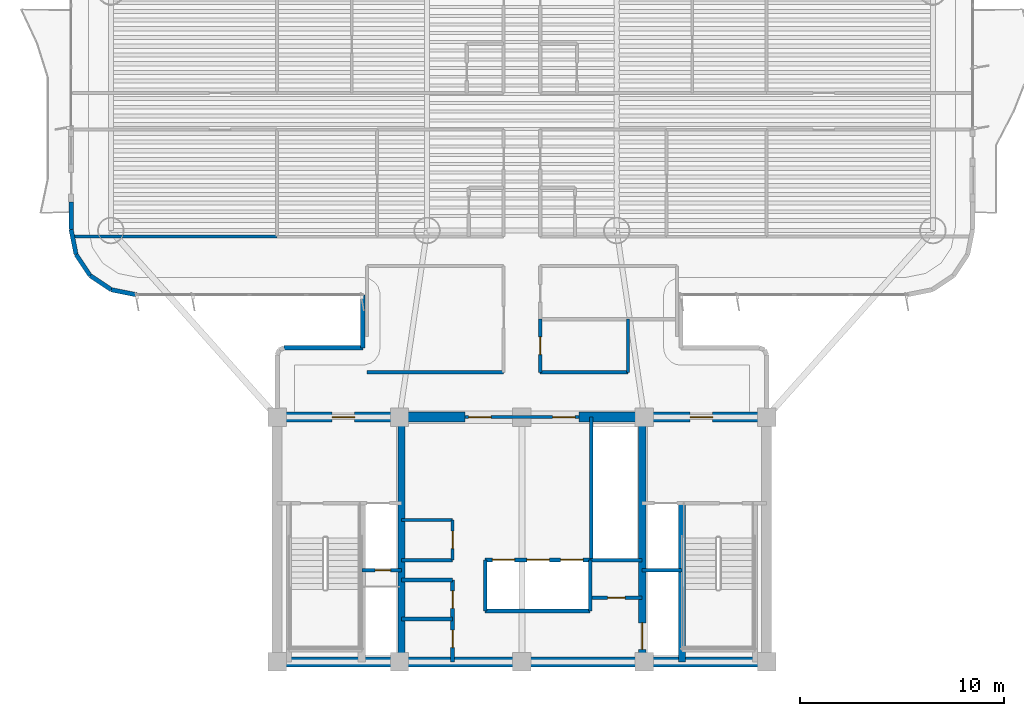
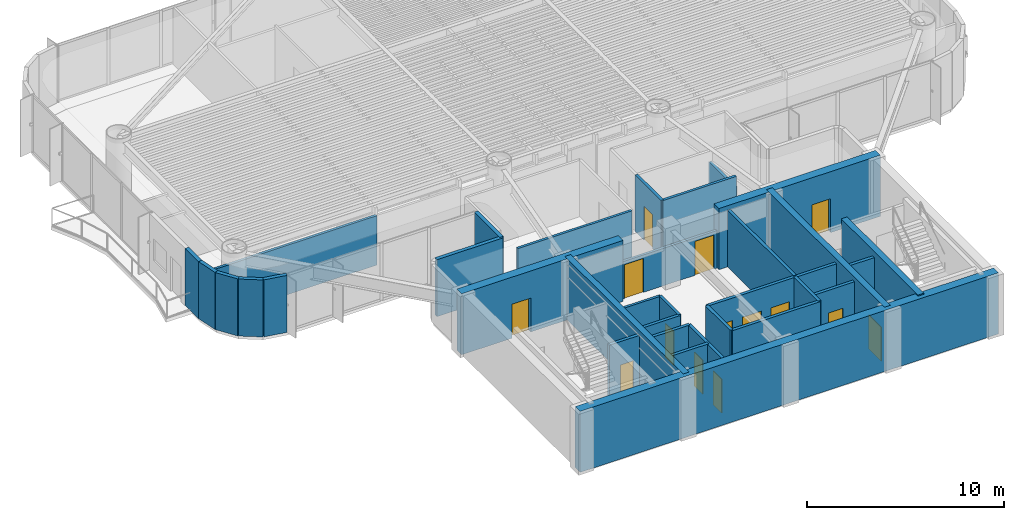
# One storey, part 9 of 17: 34 walls, 14 doors, 14 openings.
"""IFC4 building model written with IfcOpenShell, lengths in metres."""

from ifc_helpers import new_model, si_unit, direction, frame, frame_2d, origin, origin_2d, place, context, subcontext, project, spatial, rectangle, extrude, source, transform, mapped, material, layer, layer_set, type_object, element, fill, save


model = new_model("IFC4")

# Units and contexts
model_context = context("Model", 3, precision=1e-05, world=origin(), true_north=direction((0.0, 1.0)))
body_context = subcontext(model_context, "Body", "Model", "MODEL_VIEW")
ifc_project = project(units=[si_unit("LENGTHUNIT", "METRE"), si_unit("AREAUNIT", "SQUARE_METRE"), si_unit("VOLUMEUNIT", "CUBIC_METRE"), si_unit("PLANEANGLEUNIT", "RADIAN"), si_unit("MASSUNIT", "GRAM", prefix="KILO")], contexts=[model_context])

# Site, building, storey
site_placement = place(None, origin())
site = spatial("IfcSite", under=ifc_project, at=site_placement, CompositionType="ELEMENT")
building_placement = place(site_placement, origin())
building = spatial("IfcBuilding", under=site, at=building_placement, Name="Brelvock Crest Care Tower", CompositionType="ELEMENT")
storey_placement = place(building_placement, frame((0.0, 0.0, 97.3798828125)))
storey = spatial("IfcBuildingStorey", under=building, at=storey_placement, Name="L24", CompositionType="ELEMENT", Elevation=97.3798828125)

# Wall
ifc_material_1 = material(Name="Concrete S80 (80 MPa)", Category="concrete")
ifc_layer_1 = layer(ifc_material_1, 0.5, Name="WL-CS2")
ifc_layer_set_1 = layer_set([ifc_layer_1], Name="Concrete S80 (80 MPa)")
wall_type_1 = type_object("IfcWallType", Name="WL-CS2", PredefinedType="SHEAR", material=ifc_layer_set_1)
wall_1_placement = place(storey_placement, frame((48.25, 6.0, 0.0), z_axis=(0.0, 0.0, 1.0), x_axis=(-1.0, 0.0, 0.0)))
element("IfcWall", 1, at=wall_1_placement, inside=storey, type_object=wall_type_1, Name="L24 Core South Shear Wall", PredefinedType="SHEAR", context=body_context, shape_type="SweptSolid", body=[
    extrude(rectangle(XDim=24.5, YDim=0.5, at=frame_2d((12.25, 0.0))), origin(), (0.0, 0.0, 1.0), 3.780029296875),
])

# Wall, opening, door
wall_2_placement = place(storey_placement, frame((23.75, 18.0, 0.0), z_axis=(0.0, 0.0, 1.0), x_axis=(1.0, 0.0, 0.0)))
wall_2 = element("IfcWall", 2, at=wall_2_placement, inside=storey, type_object=wall_type_1, Name="L24 Core North-West Shear Wall", PredefinedType="SHEAR", context=body_context, shape_type="SweptSolid", body=[
    extrude(rectangle(XDim=9.449951171875, YDim=0.5, at=frame_2d((4.72509765625, 0.0))), origin(), (0.0, 0.0, 1.0), 3.780029296875),
])
opening_1_placement = place(wall_2_placement, frame((2.949951171875, 0.0, 0.0)))
opening_1 = element("IfcOpeningElement", 3, at=opening_1_placement, cuts=wall_2, Name="Opening FD-1", PredefinedType="OPENING", context=body_context, shape_type="SweptSolid", body=[
    extrude(rectangle(XDim=1.10009765625, YDim=2.10009765625, at=origin_2d()), frame((0.550048828125, 0.260009765625, 1.050048828125), z_axis=(0.0, -1.0, 0.0), x_axis=(1.0, 0.0, 0.0)), (0.0, 0.0, 1.0), 0.52001953125),
])
ifc_material_2 = material(Name="Steel Grade 350", Category="steel")
door_type_1 = type_object("IfcDoorType", Name="DR-FFL1", OperationType="NOTDEFINED", PredefinedType="DOOR", material=ifc_material_2)
shared_shape_1 = source(origin(), body_context, "Body", "SweptSolid", [
    extrude(rectangle(XDim=1.10009765625, YDim=2.10009765625, at=origin_2d()), frame((0.550048828125, 0.02490234375, 1.050048828125), z_axis=(0.0, -1.0, 0.0), x_axis=(1.0, 0.0, 0.0)), (0.0, 0.0, 1.0), 0.050048828125),
])
door_1_placement = place(opening_1_placement, origin())
door_1 = element("IfcDoor", 4, at=door_1_placement, inside=storey, type_object=door_type_1, Name="L24 Firefighting Lobby FFL-1 Exit Door", OperationType="SINGLE_SWING_LEFT", OverallHeight=2.10009765625, OverallWidth=1.10009765625, PredefinedType="DOOR", context=body_context, shape_type="MappedRepresentation", body=[
    mapped(shared_shape_1, transform((0.0, 0.0, 0.0), x_axis=(1.0, 0.0, 0.0), y_axis=(0.0, 1.0, 0.0), z_axis=(0.0, 0.0, 1.0), scale=1.0)),
])
fill(opening_1, door_1)

wall_3_placement = place(storey_placement, frame((38.800048828125, 18.0, 0.0), z_axis=(0.0, 0.0, 1.0), x_axis=(1.0, 0.0, 0.0)))
wall_3 = element("IfcWall", 5, at=wall_3_placement, inside=storey, type_object=wall_type_1, Name="L24 Core North-East Shear Wall", PredefinedType="SHEAR", context=body_context, shape_type="SweptSolid", body=[
    extrude(rectangle(XDim=9.449951171875, YDim=0.5, at=frame_2d((4.72509765625, 0.0))), origin(), (0.0, 0.0, 1.0), 3.780029296875),
])
opening_2_placement = place(wall_3_placement, frame((5.449951171875, 0.0, 0.0)))
opening_2 = element("IfcOpeningElement", 6, at=opening_2_placement, cuts=wall_3, Name="Opening FD-1", PredefinedType="OPENING", context=body_context, shape_type="SweptSolid", body=[
    extrude(rectangle(XDim=1.10009765625, YDim=2.10009765625, at=origin_2d()), frame((0.550048828125, 0.260009765625, 1.050048828125), z_axis=(0.0, -1.0, 0.0), x_axis=(1.0, 0.0, 0.0)), (0.0, 0.0, 1.0), 0.52001953125),
])
door_2_placement = place(opening_2_placement, origin())
door_2 = element("IfcDoor", 7, at=door_2_placement, inside=storey, type_object=door_type_1, Name="L24 Firefighting Lobby FFL-2 Exit Door", OperationType="SINGLE_SWING_RIGHT", OverallHeight=2.10009765625, OverallWidth=1.10009765625, PredefinedType="DOOR", context=body_context, shape_type="MappedRepresentation", body=[
    mapped(shared_shape_1, transform((0.0, 0.0, 0.0), x_axis=(1.0, 0.0, 0.0), y_axis=(0.0, 1.0, 0.0), z_axis=(0.0, 0.0, 1.0), scale=1.0)),
])
fill(opening_2, door_2)

# Wall
ifc_layer_2 = layer(ifc_material_1, 0.35009765625, Name="WL-CS5")
ifc_layer_set_2 = layer_set([ifc_layer_2], Name="Concrete S80 (80 MPa)")
wall_type_2 = type_object("IfcWallType", Name="WL-CS5", PredefinedType="SHEAR", material=ifc_layer_set_2)
wall_4_placement = place(storey_placement, frame((30.10009765625, 6.0, 0.0), z_axis=(0.0, 0.0, 1.0), x_axis=(0.0, 1.0, 0.0)))
element("IfcWall", 8, at=wall_4_placement, inside=storey, type_object=wall_type_2, Name="L24 Core Internal Web Wall West", PredefinedType="SHEAR", context=body_context, shape_type="SweptSolid", body=[
    extrude(rectangle(XDim=12.0, YDim=0.35009765625, at=frame_2d((6.0, 0.0))), origin(), (0.0, 0.0, 1.0), 3.780029296875),
])

# Wall, opening, door
wall_5_placement = place(storey_placement, frame((41.89990234375, 18.0, 0.0), z_axis=(0.0, 0.0, 1.0), x_axis=(0.0, -1.0, 0.0)))
wall_5 = element("IfcWall", 9, at=wall_5_placement, inside=storey, type_object=wall_type_2, Name="L24 Core Internal Web Wall East", PredefinedType="SHEAR", context=body_context, shape_type="SweptSolid", body=[
    extrude(rectangle(XDim=12.0, YDim=0.35009765625, at=frame_2d((6.0, 0.0))), origin(), (0.0, 0.0, 1.0), 3.780029296875),
])
opening_3_placement = place(wall_5_placement, frame((10.080078125, 0.0, 0.0)))
opening_3 = element("IfcOpeningElement", 10, at=opening_3_placement, cuts=wall_5, Name="Opening LD-S", PredefinedType="OPENING", context=body_context, shape_type="SweptSolid", body=[
    extrude(rectangle(XDim=1.300048828125, YDim=2.10009765625, at=origin_2d()), frame((0.64990234375, 0.18505859375, 1.050048828125), z_axis=(0.0, -1.0, 0.0), x_axis=(1.0, 0.0, 0.0)), (0.0, 0.0, 1.0), 0.3701171875),
])
door_type_2 = type_object("IfcDoorType", Name="DR-LDS1", OperationType="NOTDEFINED", PredefinedType="DOOR", material=ifc_material_2)
shared_shape_2 = source(origin(), body_context, "Body", "SweptSolid", [
    extrude(rectangle(XDim=1.300048828125, YDim=2.10009765625, at=origin_2d()), frame((0.64990234375, 0.02490234375, 1.050048828125), z_axis=(0.0, -1.0, 0.0), x_axis=(1.0, 0.0, 0.0)), (0.0, 0.0, 1.0), 0.050048828125),
])
door_3_placement = place(opening_3_placement, origin())
door_3 = element("IfcDoor", 11, at=door_3_placement, inside=storey, type_object=door_type_2, Name="L24 Clinical Bed Lift SL-1 Landing Door", OperationType="SLIDING_TO_LEFT", OverallHeight=2.10009765625, OverallWidth=1.300048828125, PredefinedType="DOOR", context=body_context, shape_type="MappedRepresentation", body=[
    mapped(shared_shape_2, transform((0.0, 0.0, 0.0), x_axis=(1.0, 0.0, 0.0), y_axis=(0.0, 1.0, 0.0), z_axis=(0.0, 0.0, 1.0), scale=1.0)),
])
fill(opening_3, door_3)

# Walls
wall_6_placement = place(storey_placement, frame((43.85009765625, 6.0, 0.0), z_axis=(0.0, 0.0, 1.0), x_axis=(0.0, 1.0, 0.0)))
element("IfcWall", 12, at=wall_6_placement, inside=storey, type_object=wall_type_2, Name="L24 Core Stair ST-2 West Shear Wall", PredefinedType="SHEAR", context=body_context, shape_type="SweptSolid", body=[
    extrude(rectangle(XDim=7.780029296875, YDim=0.35009765625, at=frame_2d((3.89013671875, 0.0))), origin(), (0.0, 0.0, 1.0), 3.85009765625),
])
ifc_material_3 = material(Name="Precast concrete N40 (40 MPa)", Category="concrete")
ifc_layer_3 = layer(ifc_material_3, 0.215087890625, Name="WL-EX2")
ifc_layer_set_3 = layer_set([ifc_layer_3], Name="Precast concrete N40 (40 MPa)")
wall_type_3 = type_object("IfcWallType", Name="WL-EX2", PredefinedType="SOLIDWALL", material=ifc_layer_set_3)
wall_7_placement = place(storey_placement, frame((24.35009765625, 21.39990234375, 0.0), z_axis=(0.0, 0.0, 1.0), x_axis=(1.0, 0.0, 0.0)))
element("IfcWall", 13, at=wall_7_placement, inside=storey, type_object=wall_type_3, Name="L24 Rounded Corner Wall 10", PredefinedType="SOLIDWALL", context=body_context, shape_type="SweptSolid", body=[
    extrude(rectangle(XDim=3.849853515625, YDim=0.215087890625, at=frame_2d((1.9248046875, 0.0))), origin(), (0.0, 0.0, 1.0), 3.530029296875),
])
wall_8_placement = place(storey_placement, frame((28.199951171875, 21.39990234375, 0.0), z_axis=(0.0, 0.0, 1.0), x_axis=(0.0, 1.0, 0.0)))
element("IfcWall", 14, at=wall_8_placement, inside=storey, type_object=wall_type_3, Name="L24 Rounded Corner Wall 11", PredefinedType="SOLIDWALL", context=body_context, shape_type="SweptSolid", body=[
    extrude(rectangle(XDim=2.60009765625, YDim=0.215087890625, at=frame_2d((1.300048828125, 0.0))), origin(), (0.0, 0.0, 1.0), 3.530029296875),
])
for number, where, z_axis, x_axis, name in (
    (15, (17.10009765625, 24.0, 0.0), (0.0, 0.0, 1.0), (-0.980775717779, 0.195138390419, 0.0), "L24 Rounded Corner Wall 13"),
    (16, (15.87548828125, 24.24365234375, 0.0), (0.0, 0.0, 1.0), (-0.831478245117, 0.555557312883, 0.0), "L24 Rounded Corner Wall 14"),
    (17, (14.83740234375, 24.937255859375, 0.0), (0.0, 0.0, 1.0), (-0.555692485475, 0.831387912822, 0.0), "L24 Rounded Corner Wall 15"),
    (18, (14.1435546875, 25.975341796875, 0.0), (0.0, 0.0, 1.0), (-0.195138390419, 0.980775717779, 0.0), "L24 Rounded Corner Wall 16"),
):
    element("IfcWall", number, at=place(storey_placement, frame(where, z_axis=z_axis, x_axis=x_axis)), inside=storey, type_object=wall_type_3, Name=name, PredefinedType="SOLIDWALL", context=body_context, shape_type="SweptSolid", body=[
        extrude(rectangle(XDim=1.24853515625, YDim=0.215087890625, at=frame_2d((0.624267578125, 0.0))), origin(), (0.0, 0.0, 1.0), 3.530029296875),
    ])
wall_9_placement = place(storey_placement, frame((13.89990234375, 27.199951171875, 0.0), z_axis=(0.0, 0.0, 1.0), x_axis=(0.0, 1.0, 0.0)))
element("IfcWall", 19, at=wall_9_placement, inside=storey, type_object=wall_type_3, Name="L24 Exterior Spandrel Pier E17A", PredefinedType="SOLIDWALL", context=body_context, shape_type="SweptSolid", body=[
    extrude(rectangle(XDim=1.35009765625, YDim=0.215087890625, at=frame_2d((0.675048828125, 0.0))), origin(), (0.0, 0.0, 1.0), 3.530029296875),
])
ifc_material_4 = material(Name="Masonry Blockwork Acoustic Partition", Category="masonry")
ifc_layer_4 = layer(ifc_material_4, 0.14990234375, Name="WL-INT1")
ifc_layer_set_4 = layer_set([ifc_layer_4], Name="Masonry Blockwork Acoustic Partition")
wall_type_4 = type_object("IfcWallType", Name="WL-INT1", PredefinedType="PARTITIONING", material=ifc_layer_set_4)
wall_10_placement = place(storey_placement, frame((30.10009765625, 12.949951171875, 0.0), z_axis=(0.0, 0.0, 1.0), x_axis=(1.0, 0.0, 0.0)))
element("IfcWall", 20, at=wall_10_placement, inside=storey, type_object=wall_type_4, Name="L24 Interior Wall WL-CRCL-N2-L24", PredefinedType="PARTITIONING", context=body_context, shape_type="SweptSolid", body=[
    extrude(rectangle(XDim=2.5, YDim=0.14990234375, at=frame_2d((1.25, 0.0))), origin(), (0.0, 0.0, 1.0), 3.5),
])

# Wall, opening, door
wall_11_placement = place(storey_placement, frame((32.60009765625, 11.0, 0.0), z_axis=(0.0, 0.0, 1.0), x_axis=(0.0, 1.0, 0.0)))
wall_11 = element("IfcWall", 21, at=wall_11_placement, inside=storey, type_object=wall_type_4, Name="L24 Interior Wall WL-CRCL-E-L24", PredefinedType="PARTITIONING", context=body_context, shape_type="SweptSolid", body=[
    extrude(rectangle(XDim=1.949951171875, YDim=0.14990234375, at=frame_2d((0.97509765625, 0.0))), origin(), (0.0, 0.0, 1.0), 3.5),
])
opening_4_placement = place(wall_11_placement, frame((0.550048828125, 0.0, 0.0)))
opening_4 = element("IfcOpeningElement", 22, at=opening_4_placement, cuts=wall_11, Name="Opening ID-1", PredefinedType="OPENING", context=body_context, shape_type="SweptSolid", body=[
    extrude(rectangle(XDim=0.860107421875, YDim=2.10009765625, at=origin_2d()), frame((0.43017578125, 0.0849609375, 1.050048828125), z_axis=(0.0, -1.0, 0.0), x_axis=(1.0, 0.0, 0.0)), (0.0, 0.0, 1.0), 0.169921875),
])
ifc_material_5 = material(Name="Engineered Hardwood Timber", Category="wood")
door_type_3 = type_object("IfcDoorType", Name="DR-INT1", OperationType="NOTDEFINED", PredefinedType="DOOR", material=ifc_material_5)
shared_shape_3 = source(origin(), body_context, "Body", "SweptSolid", [
    extrude(rectangle(XDim=0.860107421875, YDim=2.10009765625, at=origin_2d()), frame((0.43017578125, 0.02490234375, 1.050048828125), z_axis=(0.0, -1.0, 0.0), x_axis=(1.0, 0.0, 0.0)), (0.0, 0.0, 1.0), 0.050048828125),
])
door_4_placement = place(opening_4_placement, origin())
door_4 = element("IfcDoor", 23, at=door_4_placement, inside=storey, type_object=door_type_3, Name="DR-CRCL1-L24", OperationType="SINGLE_SWING_LEFT", OverallHeight=2.10009765625, OverallWidth=0.860107421875, PredefinedType="DOOR", context=body_context, shape_type="MappedRepresentation", body=[
    mapped(shared_shape_3, transform((0.0, 0.0, 0.0), x_axis=(1.0, 0.0, 0.0), y_axis=(0.0, 1.0, 0.0), z_axis=(0.0, 0.0, 1.0), scale=1.0)),
])
fill(opening_4, door_4)

# Wall, openings, doors
wall_12_placement = place(storey_placement, frame((33.199951171875, 18.0, 0.0), z_axis=(0.0, 0.0, 1.0), x_axis=(1.0, 0.0, 0.0)))
wall_12 = element("IfcWall", 24, at=wall_12_placement, inside=storey, type_object=wall_type_4, Name="L24 Interior Wall WL-CORE-NPORT-L24", PredefinedType="PARTITIONING", context=body_context, shape_type="SweptSolid", body=[
    extrude(rectangle(XDim=5.60009765625, YDim=0.14990234375, at=frame_2d((2.800048828125, 0.0))), origin(), (0.0, 0.0, 1.0), 2.315185546875),
])
opening_5_placement = place(wall_12_placement, frame((0.18994140625, 0.0, 0.0)))
opening_5 = element("IfcOpeningElement", 25, at=opening_5_placement, cuts=wall_12, Name="Opening FD-1", PredefinedType="OPENING", context=body_context, shape_type="SweptSolid", body=[
    extrude(rectangle(XDim=1.10009765625, YDim=2.10009765625, at=origin_2d()), frame((0.550048828125, 0.0849609375, 1.050048828125), z_axis=(0.0, -1.0, 0.0), x_axis=(1.0, 0.0, 0.0)), (0.0, 0.0, 1.0), 0.169921875),
])
opening_6_placement = place(wall_12_placement, frame((4.31005859375, 0.0, 0.0)))
opening_6 = element("IfcOpeningElement", 26, at=opening_6_placement, cuts=wall_12, Name="Opening FD-1", PredefinedType="OPENING", context=body_context, shape_type="SweptSolid", body=[
    extrude(rectangle(XDim=1.10009765625, YDim=2.10009765625, at=origin_2d()), frame((0.550048828125, 0.0849609375, 1.050048828125), z_axis=(0.0, -1.0, 0.0), x_axis=(1.0, 0.0, 0.0)), (0.0, 0.0, 1.0), 0.169921875),
])
door_5_placement = place(opening_5_placement, origin())
door_5 = element("IfcDoor", 27, at=door_5_placement, inside=storey, type_object=door_type_1, Name="L24 Lift Lobby North Smoke Door West", OperationType="SINGLE_SWING_LEFT", OverallHeight=2.10009765625, OverallWidth=1.10009765625, PredefinedType="DOOR", context=body_context, shape_type="MappedRepresentation", body=[
    mapped(shared_shape_1, transform((0.0, 0.0, 0.0), x_axis=(1.0, 0.0, 0.0), y_axis=(0.0, 1.0, 0.0), z_axis=(0.0, 0.0, 1.0), scale=1.0)),
])
fill(opening_5, door_5)
door_6_placement = place(opening_6_placement, origin())
door_6 = element("IfcDoor", 28, at=door_6_placement, inside=storey, type_object=door_type_1, Name="L24 Lift Lobby North Smoke Door East", OperationType="SINGLE_SWING_RIGHT", OverallHeight=2.10009765625, OverallWidth=1.10009765625, PredefinedType="DOOR", context=body_context, shape_type="MappedRepresentation", body=[
    mapped(shared_shape_1, transform((0.0, 0.0, 0.0), x_axis=(1.0, 0.0, 0.0), y_axis=(0.0, 1.0, 0.0), z_axis=(0.0, 0.0, 1.0), scale=1.0)),
])
fill(opening_6, door_6)

# Walls
wall_13_placement = place(storey_placement, frame((28.39990234375, 20.199951171875, 0.0), z_axis=(0.0, 0.0, 1.0), x_axis=(1.0, 0.0, 0.0)))
element("IfcWall", 29, at=wall_13_placement, inside=storey, type_object=wall_type_4, Name="L24 Interior Wall WL-BX-L24-THW-S", PredefinedType="PARTITIONING", context=body_context, shape_type="SweptSolid", body=[
    extrude(rectangle(XDim=6.7001953125, YDim=0.14990234375, at=frame_2d((3.35009765625, 0.0))), origin(), (0.0, 0.0, 1.0), 3.5),
])
wall_14_placement = place(storey_placement, frame((14.05126953125, 26.85009765625, 0.0), z_axis=(0.0, 0.0, 1.0), x_axis=(1.0, 0.0, 0.0)))
element("IfcWall", 30, at=wall_14_placement, inside=storey, type_object=wall_type_4, Name="L24 Interior Wall WL-BX-L24-ISWO-S", PredefinedType="PARTITIONING", context=body_context, shape_type="SweptSolid", body=[
    extrude(rectangle(XDim=9.94873046875, YDim=0.14990234375, at=frame_2d((4.974365234375, 0.0))), origin(), (0.0, 0.0, 1.0), 3.05517578125),
])
ifc_material_6 = material(Name="Gypsum Plasterboard Partition", Category="gypsum")
ifc_layer_5 = layer(ifc_material_6, 0.159912109375, Name="WL-PLM1")
ifc_layer_set_5 = layer_set([ifc_layer_5], Name="Gypsum Plasterboard Partition")
wall_type_5 = type_object("IfcWallType", Name="WL-PLM1", PredefinedType="PLUMBINGWALL", material=ifc_layer_set_5)
wall_15_placement = place(storey_placement, frame((36.89990234375, 20.199951171875, 0.0), z_axis=(0.0, 0.0, 1.0), x_axis=(1.0, 0.0, 0.0)))
element("IfcWall", 31, at=wall_15_placement, inside=storey, type_object=wall_type_5, Name="L24 Interior Wall WL-BX-L24-THE1-S", PredefinedType="PLUMBINGWALL", context=body_context, shape_type="SweptSolid", body=[
    extrude(rectangle(XDim=4.300048828125, YDim=0.159912109375, at=frame_2d((2.14990234375, 0.0))), origin(), (0.0, 0.0, 1.0), 3.5),
])

# Wall, opening, door
wall_16_placement = place(storey_placement, frame((36.89990234375, 20.199951171875, 0.0), z_axis=(0.0, 0.0, 1.0), x_axis=(0.0, 1.0, 0.0)))
wall_16 = element("IfcWall", 32, at=wall_16_placement, inside=storey, type_object=wall_type_5, Name="L24 Interior Wall WL-RM-L24-THE1", PredefinedType="PLUMBINGWALL", context=body_context, shape_type="SweptSolid", body=[
    extrude(rectangle(XDim=2.60009765625, YDim=0.159912109375, at=frame_2d((1.300048828125, 0.0))), origin(), (0.0, 0.0, 1.0), 3.5),
])
opening_7_placement = place(wall_16_placement, frame((0.8701171875, 0.0, 0.0)))
opening_7 = element("IfcOpeningElement", 33, at=opening_7_placement, cuts=wall_16, Name="Opening WD-1", PredefinedType="OPENING", context=body_context, shape_type="SweptSolid", body=[
    extrude(rectangle(XDim=0.860107421875, YDim=2.10009765625, at=origin_2d()), frame((0.43017578125, 0.08984375, 1.050048828125), z_axis=(0.0, -1.0, 0.0), x_axis=(1.0, 0.0, 0.0)), (0.0, 0.0, 1.0), 0.179931640625),
])
door_type_4 = type_object("IfcDoorType", Name="DR-WC1", OperationType="NOTDEFINED", PredefinedType="DOOR", material=ifc_material_5)
shared_shape_4 = source(origin(), body_context, "Body", "SweptSolid", [
    extrude(rectangle(XDim=0.860107421875, YDim=2.10009765625, at=origin_2d()), frame((0.43017578125, 0.02490234375, 1.050048828125), z_axis=(0.0, -1.0, 0.0), x_axis=(1.0, 0.0, 0.0)), (0.0, 0.0, 1.0), 0.050048828125),
])
door_7_placement = place(opening_7_placement, origin())
door_7 = element("IfcDoor", 34, at=door_7_placement, inside=storey, type_object=door_type_4, Name="L24 Floor Accessible WC Door THE1", OperationType="SINGLE_SWING_LEFT", OverallHeight=2.10009765625, OverallWidth=0.860107421875, PredefinedType="DOOR", context=body_context, shape_type="MappedRepresentation", body=[
    mapped(shared_shape_4, transform((0.0, 0.0, 0.0), x_axis=(1.0, 0.0, 0.0), y_axis=(0.0, 1.0, 0.0), z_axis=(0.0, 0.0, 1.0), scale=1.0)),
])
fill(opening_7, door_7)

# Walls
wall_17_placement = place(storey_placement, frame((41.199951171875, 20.199951171875, 0.0), z_axis=(0.0, 0.0, 1.0), x_axis=(0.0, 1.0, 0.0)))
element("IfcWall", 35, at=wall_17_placement, inside=storey, type_object=wall_type_5, Name="L24 Interior Wall WL-BX-L24-THE1-E", PredefinedType="PLUMBINGWALL", context=body_context, shape_type="SweptSolid", body=[
    extrude(rectangle(XDim=2.60009765625, YDim=0.159912109375, at=frame_2d((1.300048828125, 0.0))), origin(), (0.0, 0.0, 1.0), 2.815185546875),
])
ifc_layer_6 = layer(ifc_material_4, 0.179931640625, Name="WL-SHF1")
ifc_layer_set_6 = layer_set([ifc_layer_6], Name="Masonry Blockwork Acoustic Partition")
wall_type_6 = type_object("IfcWallType", Name="WL-SHF1", PredefinedType="PARTITIONING", material=ifc_layer_set_6)
wall_18_placement = place(storey_placement, frame((34.199951171875, 8.5, 0.0), z_axis=(0.0, 0.0, 1.0), x_axis=(1.0, 0.0, 0.0)))
element("IfcWall", 36, at=wall_18_placement, inside=storey, type_object=wall_type_6, Name="L24 Interior Wall WL-PLM-S-L24", PredefinedType="PARTITIONING", context=body_context, shape_type="SweptSolid", body=[
    extrude(rectangle(XDim=5.150146484375, YDim=0.179931640625, at=frame_2d((2.5751953125, 0.0))), origin(), (0.0, 0.0, 1.0), 3.5),
])
for number, where, z_axis, x_axis, name in (
    (37, (34.199951171875, 8.5, 0.0), (0.0, 0.0, 1.0), (0.0, 1.0, 0.0), "L24 Interior Wall WL-PLM-W-L24"),
    (38, (39.35009765625, 8.5, 0.0), (0.0, 0.0, 1.0), (0.0, 1.0, 0.0), "L24 Interior Wall WL-PLM-E-L24"),
):
    element("IfcWall", number, at=place(storey_placement, frame(where, z_axis=z_axis, x_axis=x_axis)), inside=storey, type_object=wall_type_6, Name=name, PredefinedType="PARTITIONING", context=body_context, shape_type="SweptSolid", body=[
        extrude(rectangle(XDim=2.5, YDim=0.179931640625, at=frame_2d((1.25, 0.0))), origin(), (0.0, 0.0, 1.0), 3.5),
    ])
wall_19_placement = place(storey_placement, frame((39.39990234375, 11.0, 0.0), z_axis=(0.0, 0.0, 1.0), x_axis=(0.0, 1.0, 0.0)))
element("IfcWall", 39, at=wall_19_placement, inside=storey, type_object=wall_type_6, Name="L24 Interior Wall WL-PLH-SHF-L24", PredefinedType="PARTITIONING", context=body_context, shape_type="SweptSolid", body=[
    extrude(rectangle(XDim=7.0, YDim=0.179931640625, at=frame_2d((3.5, 0.0))), origin(), (0.0, 0.0, 1.0), 3.5),
])
wall_20_placement = place(storey_placement, frame((30.10009765625, 10.97998046875, 0.0), z_axis=(0.0, 0.0, 1.0), x_axis=(1.0, 0.0, 0.0)))
element("IfcWall", 40, at=wall_20_placement, inside=storey, type_object=wall_type_6, Name="L24 Interior Wall WL-CSBW-N-L24", PredefinedType="PARTITIONING", context=body_context, shape_type="SweptSolid", body=[
    extrude(rectangle(XDim=2.5, YDim=0.179931640625, at=frame_2d((1.25, 0.0))), origin(), (0.0, 0.0, 1.0), 3.5),
])
wall_21_placement = place(storey_placement, frame((39.35009765625, 10.97998046875, 0.0), z_axis=(0.0, 0.0, 1.0), x_axis=(1.0, 0.0, 0.0)))
element("IfcWall", 41, at=wall_21_placement, inside=storey, type_object=wall_type_6, Name="L24 Interior Wall WL-CSBE-N-L24", PredefinedType="PARTITIONING", context=body_context, shape_type="SweptSolid", body=[
    extrude(rectangle(XDim=2.5498046875, YDim=0.179931640625, at=frame_2d((1.27490234375, 0.0))), origin(), (0.0, 0.0, 1.0), 3.5),
])
for number, where, z_axis, x_axis, name in (
    (42, (30.10009765625, 8.10009765625, 0.0), (0.0, 0.0, 1.0), (1.0, 0.0, 0.0), "L24 Interior Wall WL-CSBW-SP-L24"),
    (43, (30.10009765625, 10.02001953125, 0.0), (0.0, 0.0, 1.0), (1.0, 0.0, 0.0), "L24 Interior Wall WL-CSBW-N2-L24"),
):
    element("IfcWall", number, at=place(storey_placement, frame(where, z_axis=z_axis, x_axis=x_axis)), inside=storey, type_object=wall_type_6, Name=name, PredefinedType="PARTITIONING", context=body_context, shape_type="SweptSolid", body=[
        extrude(rectangle(XDim=2.5, YDim=0.179931640625, at=frame_2d((1.25, 0.0))), origin(), (0.0, 0.0, 1.0), 3.5),
    ])

# Wall, openings, doors
wall_22_placement = place(storey_placement, frame((32.60009765625, 6.0, 0.0), z_axis=(0.0, 0.0, 1.0), x_axis=(0.0, 1.0, 0.0)))
wall_22 = element("IfcWall", 44, at=wall_22_placement, inside=storey, type_object=wall_type_6, Name="L24 Interior Wall WL-CSBW-E-L24", PredefinedType="PARTITIONING", context=body_context, shape_type="SweptSolid", body=[
    extrude(rectangle(XDim=4.02001953125, YDim=0.179931640625, at=frame_2d((2.010009765625, 0.0))), origin(), (0.0, 0.0, 1.0), 3.5),
])
opening_8_placement = place(wall_22_placement, frame((0.699951171875, 0.0, 0.0)))
opening_8 = element("IfcOpeningElement", 45, at=opening_8_placement, cuts=wall_22, Name="Opening ID-1", PredefinedType="OPENING", context=body_context, shape_type="SweptSolid", body=[
    extrude(rectangle(XDim=0.860107421875, YDim=2.10009765625, at=origin_2d()), frame((0.43017578125, 0.10009765625, 1.050048828125), z_axis=(0.0, -1.0, 0.0), x_axis=(1.0, 0.0, 0.0)), (0.0, 0.0, 1.0), 0.199951171875),
])
opening_9_placement = place(wall_22_placement, frame((2.6201171875, 0.0, 0.0)))
opening_9 = element("IfcOpeningElement", 46, at=opening_9_placement, cuts=wall_22, Name="Opening ID-1", PredefinedType="OPENING", context=body_context, shape_type="SweptSolid", body=[
    extrude(rectangle(XDim=0.860107421875, YDim=2.10009765625, at=origin_2d()), frame((0.43017578125, 0.10009765625, 1.050048828125), z_axis=(0.0, -1.0, 0.0), x_axis=(1.0, 0.0, 0.0)), (0.0, 0.0, 1.0), 0.199951171875),
])
door_8_placement = place(opening_8_placement, origin())
door_8 = element("IfcDoor", 47, at=door_8_placement, inside=storey, type_object=door_type_3, Name="DR-CSBW1-L24", OperationType="SINGLE_SWING_LEFT", OverallHeight=2.10009765625, OverallWidth=0.860107421875, PredefinedType="DOOR", context=body_context, shape_type="MappedRepresentation", body=[
    mapped(shared_shape_3, transform((0.0, 0.0, 0.0), x_axis=(1.0, 0.0, 0.0), y_axis=(0.0, 1.0, 0.0), z_axis=(0.0, 0.0, 1.0), scale=1.0)),
])
fill(opening_8, door_8)
door_9_placement = place(opening_9_placement, origin())
door_9 = element("IfcDoor", 48, at=door_9_placement, inside=storey, type_object=door_type_3, Name="DR-CSBW2-L24", OperationType="SINGLE_SWING_RIGHT", OverallHeight=2.10009765625, OverallWidth=0.860107421875, PredefinedType="DOOR", context=body_context, shape_type="MappedRepresentation", body=[
    mapped(shared_shape_3, transform((0.0, 0.0, 0.0), x_axis=(1.0, 0.0, 0.0), y_axis=(0.0, 1.0, 0.0), z_axis=(0.0, 0.0, 1.0), scale=1.0)),
])
fill(opening_9, door_9)

# Wall, opening, door
wall_23_placement = place(storey_placement, frame((39.35009765625, 9.14990234375, 0.0), z_axis=(0.0, 0.0, 1.0), x_axis=(1.0, 0.0, 0.0)))
wall_23 = element("IfcWall", 49, at=wall_23_placement, inside=storey, type_object=wall_type_6, Name="L24 Interior Wall WL-CSBE-S-L24", PredefinedType="PARTITIONING", context=body_context, shape_type="SweptSolid", body=[
    extrude(rectangle(XDim=2.5498046875, YDim=0.179931640625, at=frame_2d((1.27490234375, 0.0))), origin(), (0.0, 0.0, 1.0), 3.5),
])
opening_10_placement = place(wall_23_placement, frame((0.85009765625, 0.0, 0.0)))
opening_10 = element("IfcOpeningElement", 50, at=opening_10_placement, cuts=wall_23, Name="Opening ID-1", PredefinedType="OPENING", context=body_context, shape_type="SweptSolid", body=[
    extrude(rectangle(XDim=0.860107421875, YDim=2.10009765625, at=origin_2d()), frame((0.43017578125, 0.10009765625, 1.050048828125), z_axis=(0.0, -1.0, 0.0), x_axis=(1.0, 0.0, 0.0)), (0.0, 0.0, 1.0), 0.199951171875),
])
door_10_placement = place(opening_10_placement, origin())
door_10 = element("IfcDoor", 51, at=door_10_placement, inside=storey, type_object=door_type_3, Name="DR-CSBE-L24", OperationType="SINGLE_SWING_LEFT", OverallHeight=2.10009765625, OverallWidth=0.860107421875, PredefinedType="DOOR", context=body_context, shape_type="MappedRepresentation", body=[
    mapped(shared_shape_3, transform((0.0, 0.0, 0.0), x_axis=(1.0, 0.0, 0.0), y_axis=(0.0, 1.0, 0.0), z_axis=(0.0, 0.0, 1.0), scale=1.0)),
])
fill(opening_10, door_10)

wall_24_placement = place(storey_placement, frame((28.14990234375, 10.5, 0.0), z_axis=(0.0, 0.0, 1.0), x_axis=(1.0, 0.0, 0.0)))
wall_24 = element("IfcWall", 52, at=wall_24_placement, inside=storey, type_object=wall_type_6, Name="L24 Interior Wall WL-FFH1-S-L24", PredefinedType="PARTITIONING", context=body_context, shape_type="SweptSolid", body=[
    extrude(rectangle(XDim=1.9501953125, YDim=0.179931640625, at=frame_2d((0.97509765625, 0.0))), origin(), (0.0, 0.0, 1.0), 3.5),
])
opening_11_placement = place(wall_24_placement, frame((0.64990234375, 0.0, 0.0)))
opening_11 = element("IfcOpeningElement", 53, at=opening_11_placement, cuts=wall_24, Name="Opening RD-1", PredefinedType="OPENING", context=body_context, shape_type="SweptSolid", body=[
    extrude(rectangle(XDim=0.760009765625, YDim=2.050048828125, at=origin_2d()), frame((0.3798828125, 0.10009765625, 1.02490234375), z_axis=(0.0, -1.0, 0.0), x_axis=(1.0, 0.0, 0.0)), (0.0, 0.0, 1.0), 0.199951171875),
])
door_type_5 = type_object("IfcDoorType", Name="DR-RIS1", OperationType="NOTDEFINED", PredefinedType="DOOR", material=ifc_material_2)
shared_shape_5 = source(origin(), body_context, "Body", "SweptSolid", [
    extrude(rectangle(XDim=0.760009765625, YDim=2.050048828125, at=origin_2d()), frame((0.3798828125, 0.02490234375, 1.02490234375), z_axis=(0.0, -1.0, 0.0), x_axis=(1.0, 0.0, 0.0)), (0.0, 0.0, 1.0), 0.050048828125),
])
door_11_placement = place(opening_11_placement, origin())
door_11 = element("IfcDoor", 54, at=door_11_placement, inside=storey, type_object=door_type_5, Name="L24 Wet Fire Riser Access Door", OperationType="SINGLE_SWING_LEFT", OverallHeight=2.050048828125, OverallWidth=0.760009765625, PredefinedType="DOOR", context=body_context, shape_type="MappedRepresentation", body=[
    mapped(shared_shape_5, transform((0.0, 0.0, 0.0), x_axis=(1.0, 0.0, 0.0), y_axis=(0.0, 1.0, 0.0), z_axis=(0.0, 0.0, 1.0), scale=1.0)),
])
fill(opening_11, door_11)

# Wall
wall_25_placement = place(storey_placement, frame((41.89990234375, 10.5, 0.0), z_axis=(0.0, 0.0, 1.0), x_axis=(1.0, 0.0, 0.0)))
element("IfcWall", 55, at=wall_25_placement, inside=storey, type_object=wall_type_6, Name="L24 Interior Wall WL-FFH2-S-L24", PredefinedType="PARTITIONING", context=body_context, shape_type="SweptSolid", body=[
    extrude(rectangle(XDim=1.9501953125, YDim=0.179931640625, at=frame_2d((0.97509765625, 0.0))), origin(), (0.0, 0.0, 1.0), 3.5),
])

# Wall, openings, doors
wall_26_placement = place(storey_placement, frame((34.199951171875, 11.0, 0.0), z_axis=(0.0, 0.0, 1.0), x_axis=(1.0, 0.0, 0.0)))
wall_26 = element("IfcWall", 56, at=wall_26_placement, inside=storey, type_object=wall_type_6, Name="L24 Interior Wall WL-PLM-BANK-L24", PredefinedType="PARTITIONING", context=body_context, shape_type="SweptSolid", body=[
    extrude(rectangle(XDim=5.150146484375, YDim=0.179931640625, at=frame_2d((2.5751953125, 0.0))), origin(), (0.0, 0.0, 1.0), 3.5),
])
opening_12_placement = place(wall_26_placement, frame((0.35009765625, 0.0, 0.0)))
opening_12 = element("IfcOpeningElement", 57, at=opening_12_placement, cuts=wall_26, Name="Opening LD", PredefinedType="OPENING", context=body_context, shape_type="SweptSolid", body=[
    extrude(rectangle(XDim=1.10009765625, YDim=2.10009765625, at=origin_2d()), frame((0.550048828125, 0.10009765625, 1.050048828125), z_axis=(0.0, -1.0, 0.0), x_axis=(1.0, 0.0, 0.0)), (0.0, 0.0, 1.0), 0.199951171875),
])
opening_13_placement = place(wall_26_placement, frame((2.050048828125, 0.0, 0.0)))
opening_13 = element("IfcOpeningElement", 58, at=opening_13_placement, cuts=wall_26, Name="Opening LD", PredefinedType="OPENING", context=body_context, shape_type="SweptSolid", body=[
    extrude(rectangle(XDim=1.10009765625, YDim=2.10009765625, at=origin_2d()), frame((0.550048828125, 0.10009765625, 1.050048828125), z_axis=(0.0, -1.0, 0.0), x_axis=(1.0, 0.0, 0.0)), (0.0, 0.0, 1.0), 0.199951171875),
])
opening_14_placement = place(wall_26_placement, frame((3.699951171875, 0.0, 0.0)))
opening_14 = element("IfcOpeningElement", 59, at=opening_14_placement, cuts=wall_26, Name="Opening LD", PredefinedType="OPENING", context=body_context, shape_type="SweptSolid", body=[
    extrude(rectangle(XDim=1.10009765625, YDim=2.10009765625, at=origin_2d()), frame((0.550048828125, 0.10009765625, 1.050048828125), z_axis=(0.0, -1.0, 0.0), x_axis=(1.0, 0.0, 0.0)), (0.0, 0.0, 1.0), 0.199951171875),
])
door_type_6 = type_object("IfcDoorType", Name="DR-LD1", OperationType="NOTDEFINED", PredefinedType="DOOR", material=ifc_material_2)
shared_shape_6 = source(origin(), body_context, "Body", "SweptSolid", [
    extrude(rectangle(XDim=1.10009765625, YDim=2.10009765625, at=origin_2d()), frame((0.550048828125, 0.02490234375, 1.050048828125), z_axis=(0.0, -1.0, 0.0), x_axis=(1.0, 0.0, 0.0)), (0.0, 0.0, 1.0), 0.050048828125),
])
door_12_placement = place(opening_12_placement, origin())
door_12 = element("IfcDoor", 60, at=door_12_placement, inside=storey, type_object=door_type_6, Name="L24 Lift PL-M1 Landing Door", OperationType="SLIDING_TO_LEFT", OverallHeight=2.10009765625, OverallWidth=1.10009765625, PredefinedType="DOOR", context=body_context, shape_type="MappedRepresentation", body=[
    mapped(shared_shape_6, transform((0.0, 0.0, 0.0), x_axis=(1.0, 0.0, 0.0), y_axis=(0.0, 1.0, 0.0), z_axis=(0.0, 0.0, 1.0), scale=1.0)),
])
fill(opening_12, door_12)
door_13_placement = place(opening_13_placement, origin())
door_13 = element("IfcDoor", 61, at=door_13_placement, inside=storey, type_object=door_type_6, Name="L24 Lift PL-M2 Landing Door", OperationType="SLIDING_TO_LEFT", OverallHeight=2.10009765625, OverallWidth=1.10009765625, PredefinedType="DOOR", context=body_context, shape_type="MappedRepresentation", body=[
    mapped(shared_shape_6, transform((0.0, 0.0, 0.0), x_axis=(1.0, 0.0, 0.0), y_axis=(0.0, 1.0, 0.0), z_axis=(0.0, 0.0, 1.0), scale=1.0)),
])
fill(opening_13, door_13)
door_14_placement = place(opening_14_placement, origin())
door_14 = element("IfcDoor", 62, at=door_14_placement, inside=storey, type_object=door_type_6, Name="L24 Lift PL-M3 Landing Door", OperationType="SLIDING_TO_LEFT", OverallHeight=2.10009765625, OverallWidth=1.10009765625, PredefinedType="DOOR", context=body_context, shape_type="MappedRepresentation", body=[
    mapped(shared_shape_6, transform((0.0, 0.0, 0.0), x_axis=(1.0, 0.0, 0.0), y_axis=(0.0, 1.0, 0.0), z_axis=(0.0, 0.0, 1.0), scale=1.0)),
])
fill(opening_14, door_14)

save(model, "model.ifc")
